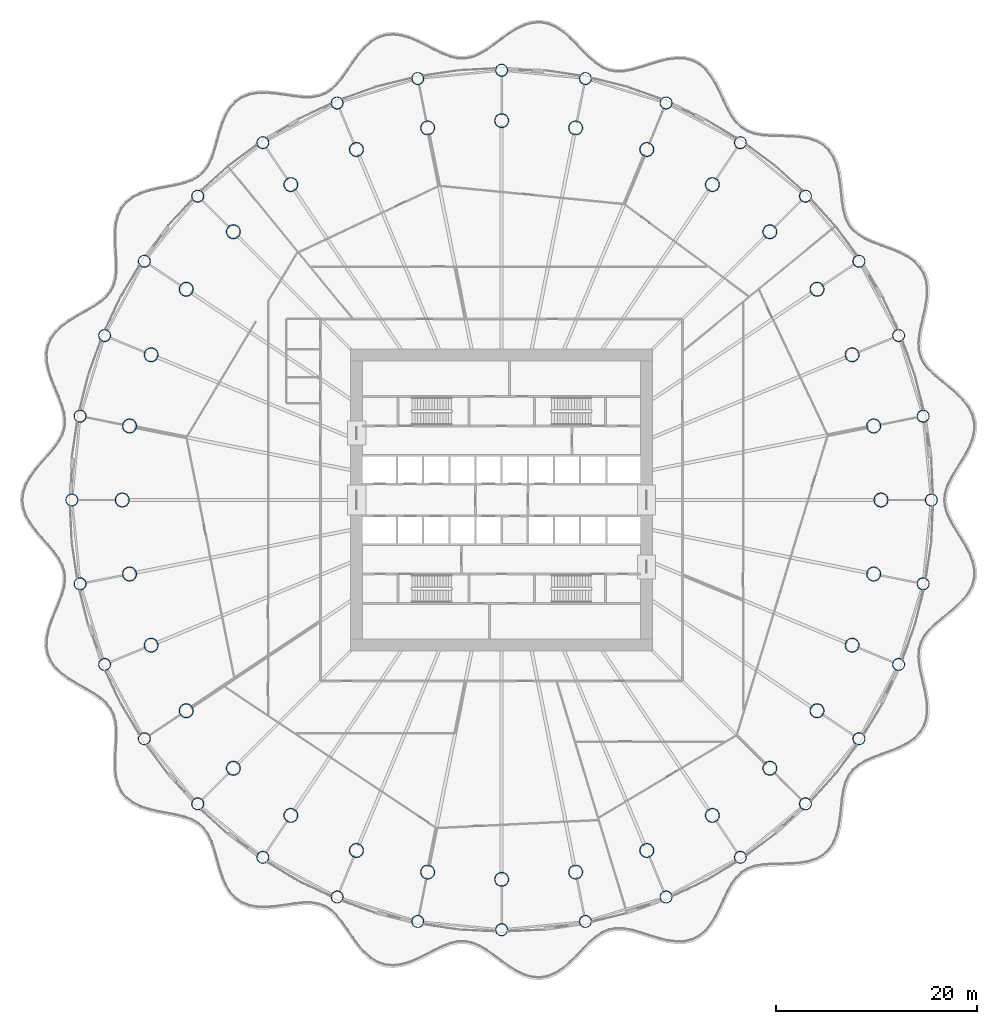
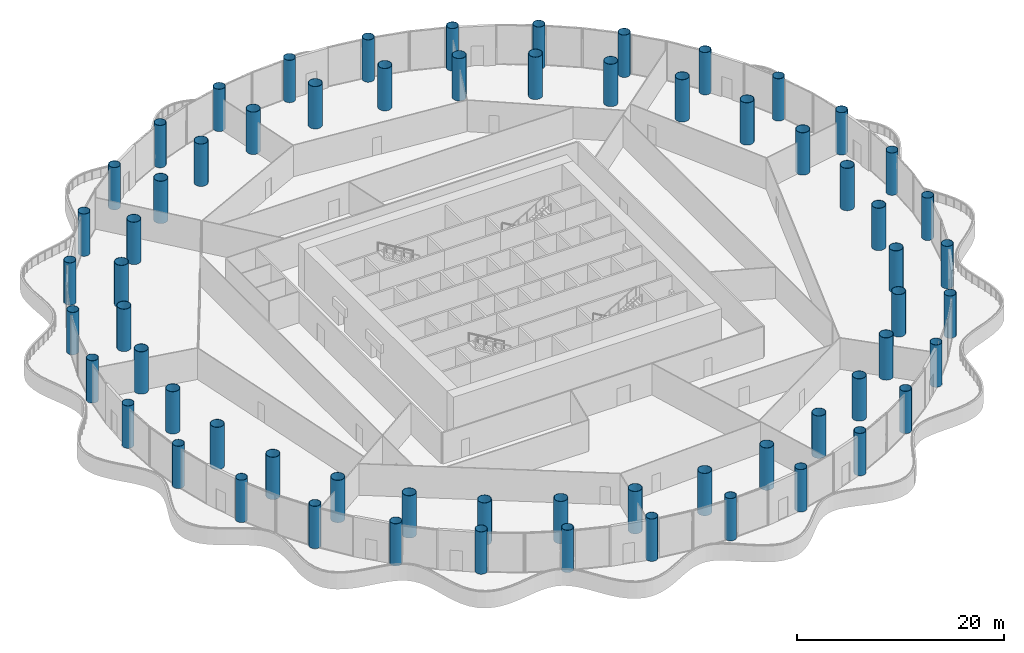
# One storey, part 1 of 35: 64 columns.
"""IFC4 building model written with IfcOpenShell, lengths in metres."""

from ifc_helpers import new_model, si_unit, direction, frame, origin, origin_2d, place, context, subcontext, project, spatial, hollow_circle, extrude, material, material_profile, profile_set, type_object, element, save


model = new_model("IFC4")

# Units and contexts
model_context = context("Model", 3, precision=1e-05, world=origin(), true_north=direction((0.0, 1.0)))
body_context = subcontext(model_context, "Body", "Model", "MODEL_VIEW")
ifc_project = project(units=[si_unit("LENGTHUNIT", "METRE"), si_unit("AREAUNIT", "SQUARE_METRE"), si_unit("VOLUMEUNIT", "CUBIC_METRE"), si_unit("PLANEANGLEUNIT", "RADIAN"), si_unit("MASSUNIT", "GRAM", prefix="KILO")], contexts=[model_context])

# Site, building, storey
site_placement = place(None, origin())
site = spatial("IfcSite", under=ifc_project, at=site_placement, CompositionType="ELEMENT")
building_placement = place(site_placement, origin())
building = spatial("IfcBuilding", under=site, at=building_placement, Name="Corvane Civic Tower", CompositionType="ELEMENT")
storey_placement = place(building_placement, frame((0.0, 0.0, 22.0)))
storey = spatial("IfcBuildingStorey", under=building, at=storey_placement, Name="L04", CompositionType="ELEMENT", Elevation=22.0)

# Columns
ifc_material_1 = material(Name="Steel ASTM A572 Gr 50", Category="steel")
ifc_material_profile_1 = material_profile(ifc_material_1, hollow_circle(Radius=0.60009765625, WallThickness=0.035888671875, at=origin_2d()), Name="CHS1200X36")
ifc_profile_set_1 = profile_set([ifc_material_profile_1], Name="Steel ASTM A572 Gr 50")
column_type_1 = type_object("IfcColumnType", Name="COMPOSITE COLUMN CHS1200X36", PredefinedType="COLUMN", material=ifc_profile_set_1)
for number, where, z_axis, x_axis, name in (
    (1, (0.0, 42.699951171875, 0.0), (0.0, 0.0, 1.0), (1.0, 0.0, 0.0), "COL-L04-G01"),
    (2, (8.330322265625, 41.879638671875, 0.0), (0.0, 0.0, 1.0), (1.0, 0.0, 0.0), "COL-L04-G02"),
    (3, (16.340576171875, 39.44970703125, 0.0), (0.0, 0.0, 1.0), (1.0, 0.0, 0.0), "COL-L04-G03"),
    (4, (23.722900390625, 35.503662109375, 0.0), (0.0, 0.0, 1.0), (1.0, 0.0, 0.0), "COL-L04-G04"),
    (5, (30.193359375, 30.193359375, 0.0), (0.0, 0.0, 1.0), (1.0, 0.0, 0.0), "COL-L04-G05"),
    (6, (35.503662109375, 23.722900390625, 0.0), (0.0, 0.0, 1.0), (1.0, 0.0, 0.0), "COL-L04-G06"),
    (7, (39.44970703125, 16.340576171875, 0.0), (0.0, 0.0, 1.0), (1.0, 0.0, 0.0), "COL-L04-G07"),
    (8, (41.879638671875, 8.330322265625, 0.0), (0.0, 0.0, 1.0), (1.0, 0.0, 0.0), "COL-L04-G08"),
    (9, (42.699951171875, 0.0, 0.0), (0.0, 0.0, 1.0), (1.0, 0.0, 0.0), "COL-L04-G09"),
    (10, (41.879638671875, -8.330322265625, 0.0), (0.0, 0.0, 1.0), (1.0, 0.0, 0.0), "COL-L04-G10"),
    (11, (39.44970703125, -16.340576171875, 0.0), (0.0, 0.0, 1.0), (1.0, 0.0, 0.0), "COL-L04-G11"),
    (12, (35.503662109375, -23.722900390625, 0.0), (0.0, 0.0, 1.0), (1.0, 0.0, 0.0), "COL-L04-G12"),
    (13, (30.193359375, -30.193359375, 0.0), (0.0, 0.0, 1.0), (1.0, 0.0, 0.0), "COL-L04-G13"),
    (14, (23.722900390625, -35.503662109375, 0.0), (0.0, 0.0, 1.0), (1.0, 0.0, 0.0), "COL-L04-G14"),
    (15, (16.340576171875, -39.44970703125, 0.0), (0.0, 0.0, 1.0), (1.0, 0.0, 0.0), "COL-L04-G15"),
    (16, (8.330322265625, -41.879638671875, 0.0), (0.0, 0.0, 1.0), (1.0, 0.0, 0.0), "COL-L04-G16"),
    (17, (0.0, -42.699951171875, 0.0), (0.0, 0.0, 1.0), (1.0, 0.0, 0.0), "COL-L04-G17"),
    (18, (-8.330322265625, -41.879638671875, 0.0), (0.0, 0.0, 1.0), (1.0, 0.0, 0.0), "COL-L04-G18"),
    (19, (-16.340576171875, -39.44970703125, 0.0), (0.0, 0.0, 1.0), (1.0, 0.0, 0.0), "COL-L04-G19"),
    (20, (-23.722900390625, -35.503662109375, 0.0), (0.0, 0.0, 1.0), (1.0, 0.0, 0.0), "COL-L04-G20"),
    (21, (-30.193359375, -30.193359375, 0.0), (0.0, 0.0, 1.0), (1.0, 0.0, 0.0), "COL-L04-G21"),
    (22, (-35.503662109375, -23.722900390625, 0.0), (0.0, 0.0, 1.0), (1.0, 0.0, 0.0), "COL-L04-G22"),
    (23, (-39.44970703125, -16.340576171875, 0.0), (0.0, 0.0, 1.0), (1.0, 0.0, 0.0), "COL-L04-G23"),
    (24, (-41.879638671875, -8.330322265625, 0.0), (0.0, 0.0, 1.0), (1.0, 0.0, 0.0), "COL-L04-G24"),
    (25, (-42.699951171875, 0.0, 0.0), (0.0, 0.0, 1.0), (1.0, 0.0, 0.0), "COL-L04-G25"),
    (26, (-41.879638671875, 8.330322265625, 0.0), (0.0, 0.0, 1.0), (1.0, 0.0, 0.0), "COL-L04-G26"),
    (27, (-39.44970703125, 16.340576171875, 0.0), (0.0, 0.0, 1.0), (1.0, 0.0, 0.0), "COL-L04-G27"),
    (28, (-35.503662109375, 23.722900390625, 0.0), (0.0, 0.0, 1.0), (1.0, 0.0, 0.0), "COL-L04-G28"),
    (29, (-30.193359375, 30.193359375, 0.0), (0.0, 0.0, 1.0), (1.0, 0.0, 0.0), "COL-L04-G29"),
    (30, (-23.722900390625, 35.503662109375, 0.0), (0.0, 0.0, 1.0), (1.0, 0.0, 0.0), "COL-L04-G30"),
    (31, (-16.340576171875, 39.44970703125, 0.0), (0.0, 0.0, 1.0), (1.0, 0.0, 0.0), "COL-L04-G31"),
    (32, (-8.330322265625, 41.879638671875, 0.0), (0.0, 0.0, 1.0), (1.0, 0.0, 0.0), "COL-L04-G32"),
):
    element("IfcColumn", number, at=place(storey_placement, frame(where, z_axis=z_axis, x_axis=x_axis)), inside=storey, type_object=column_type_1, Name=name, PredefinedType="COLUMN", context=body_context, shape_type="SweptSolid", body=[
        extrude(hollow_circle(Radius=0.60009765625, WallThickness=0.035888671875, at=origin_2d()), origin(), (0.0, 0.0, 1.0), 5.0),
    ])
ifc_material_2 = material(Name="Steel ASTM A572 Gr 50", Category="steel")
ifc_material_profile_2 = material_profile(ifc_material_2, hollow_circle(Radius=0.699951171875, WallThickness=0.0400390625, at=origin_2d()), Name="CHS1400X40")
ifc_profile_set_2 = profile_set([ifc_material_profile_2], Name="Steel ASTM A572 Gr 50")
column_type_2 = type_object("IfcColumnType", Name="COMPOSITE COLUMN CHS1400X40", PredefinedType="COLUMN", material=ifc_profile_set_2)
for number, where, z_axis, x_axis, name in (
    (33, (0.0, 37.699951171875, 0.0), (0.0, 0.0, 1.0), (1.0, 0.0, 0.0), "COL-L04-A01"),
    (34, (7.35498046875, 36.9755859375, 0.0), (0.0, 0.0, 1.0), (1.0, 0.0, 0.0), "COL-L04-A02"),
    (35, (14.42724609375, 34.830322265625, 0.0), (0.0, 0.0, 1.0), (1.0, 0.0, 0.0), "COL-L04-A03"),
    (36, (20.945068359375, 31.346435546875, 0.0), (0.0, 0.0, 1.0), (1.0, 0.0, 0.0), "COL-L04-A04"),
    (37, (26.657958984375, 26.657958984375, 0.0), (0.0, 0.0, 1.0), (1.0, 0.0, 0.0), "COL-L04-A05"),
    (38, (31.346435546875, 20.945068359375, 0.0), (0.0, 0.0, 1.0), (1.0, 0.0, 0.0), "COL-L04-A06"),
    (39, (34.830322265625, 14.42724609375, 0.0), (0.0, 0.0, 1.0), (1.0, 0.0, 0.0), "COL-L04-A07"),
    (40, (36.9755859375, 7.35498046875, 0.0), (0.0, 0.0, 1.0), (1.0, 0.0, 0.0), "COL-L04-A08"),
    (41, (37.699951171875, 0.0, 0.0), (0.0, 0.0, 1.0), (1.0, 0.0, 0.0), "COL-L04-A09"),
    (42, (36.9755859375, -7.35498046875, 0.0), (0.0, 0.0, 1.0), (1.0, 0.0, 0.0), "COL-L04-A10"),
    (43, (34.830322265625, -14.42724609375, 0.0), (0.0, 0.0, 1.0), (1.0, 0.0, 0.0), "COL-L04-A11"),
    (44, (31.346435546875, -20.945068359375, 0.0), (0.0, 0.0, 1.0), (1.0, 0.0, 0.0), "COL-L04-A12"),
    (45, (26.657958984375, -26.657958984375, 0.0), (0.0, 0.0, 1.0), (1.0, 0.0, 0.0), "COL-L04-A13"),
    (46, (20.945068359375, -31.346435546875, 0.0), (0.0, 0.0, 1.0), (1.0, 0.0, 0.0), "COL-L04-A14"),
    (47, (14.42724609375, -34.830322265625, 0.0), (0.0, 0.0, 1.0), (1.0, 0.0, 0.0), "COL-L04-A15"),
    (48, (7.35498046875, -36.9755859375, 0.0), (0.0, 0.0, 1.0), (1.0, 0.0, 0.0), "COL-L04-A16"),
    (49, (0.0, -37.699951171875, 0.0), (0.0, 0.0, 1.0), (1.0, 0.0, 0.0), "COL-L04-A17"),
    (50, (-7.35498046875, -36.9755859375, 0.0), (0.0, 0.0, 1.0), (1.0, 0.0, 0.0), "COL-L04-A18"),
    (51, (-14.42724609375, -34.830322265625, 0.0), (0.0, 0.0, 1.0), (1.0, 0.0, 0.0), "COL-L04-A19"),
    (52, (-20.945068359375, -31.346435546875, 0.0), (0.0, 0.0, 1.0), (1.0, 0.0, 0.0), "COL-L04-A20"),
    (53, (-26.657958984375, -26.657958984375, 0.0), (0.0, 0.0, 1.0), (1.0, 0.0, 0.0), "COL-L04-A21"),
    (54, (-31.346435546875, -20.945068359375, 0.0), (0.0, 0.0, 1.0), (1.0, 0.0, 0.0), "COL-L04-A22"),
    (55, (-34.830322265625, -14.42724609375, 0.0), (0.0, 0.0, 1.0), (1.0, 0.0, 0.0), "COL-L04-A23"),
    (56, (-36.9755859375, -7.35498046875, 0.0), (0.0, 0.0, 1.0), (1.0, 0.0, 0.0), "COL-L04-A24"),
    (57, (-37.699951171875, 0.0, 0.0), (0.0, 0.0, 1.0), (1.0, 0.0, 0.0), "COL-L04-A25"),
    (58, (-36.9755859375, 7.35498046875, 0.0), (0.0, 0.0, 1.0), (1.0, 0.0, 0.0), "COL-L04-A26"),
    (59, (-34.830322265625, 14.42724609375, 0.0), (0.0, 0.0, 1.0), (1.0, 0.0, 0.0), "COL-L04-A27"),
    (60, (-31.346435546875, 20.945068359375, 0.0), (0.0, 0.0, 1.0), (1.0, 0.0, 0.0), "COL-L04-A28"),
    (61, (-26.657958984375, 26.657958984375, 0.0), (0.0, 0.0, 1.0), (1.0, 0.0, 0.0), "COL-L04-A29"),
    (62, (-20.945068359375, 31.346435546875, 0.0), (0.0, 0.0, 1.0), (1.0, 0.0, 0.0), "COL-L04-A30"),
    (63, (-14.42724609375, 34.830322265625, 0.0), (0.0, 0.0, 1.0), (1.0, 0.0, 0.0), "COL-L04-A31"),
    (64, (-7.35498046875, 36.9755859375, 0.0), (0.0, 0.0, 1.0), (1.0, 0.0, 0.0), "COL-L04-A32"),
):
    element("IfcColumn", number, at=place(storey_placement, frame(where, z_axis=z_axis, x_axis=x_axis)), inside=storey, type_object=column_type_2, Name=name, PredefinedType="COLUMN", context=body_context, shape_type="SweptSolid", body=[
        extrude(hollow_circle(Radius=0.699951171875, WallThickness=0.0400390625, at=origin_2d()), origin(), (0.0, 0.0, 1.0), 5.0),
    ])

save(model, "model.ifc")
